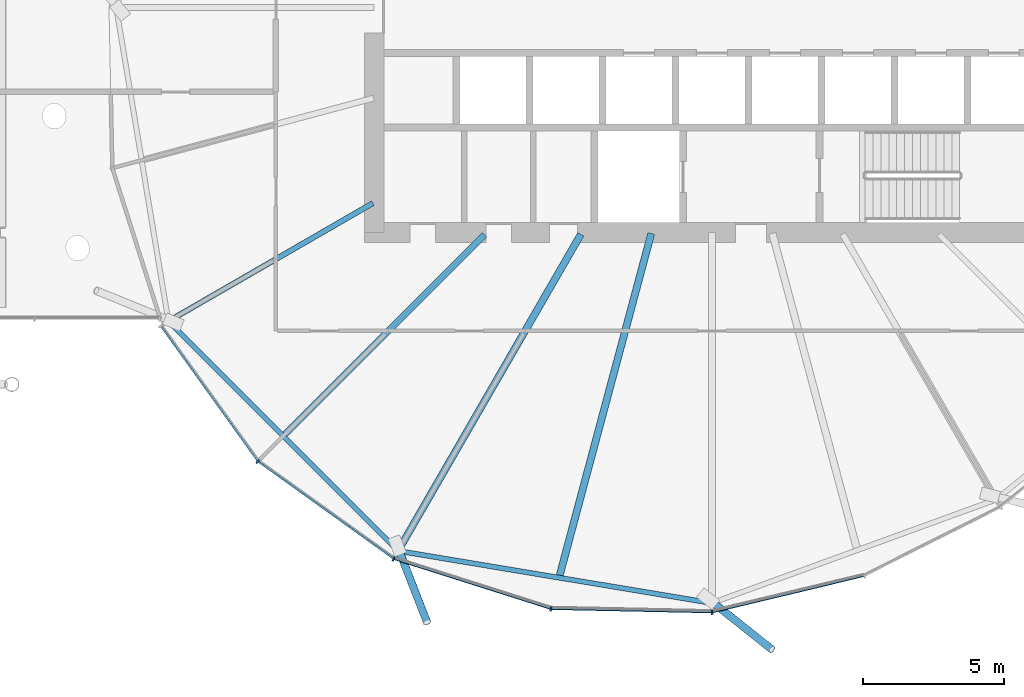
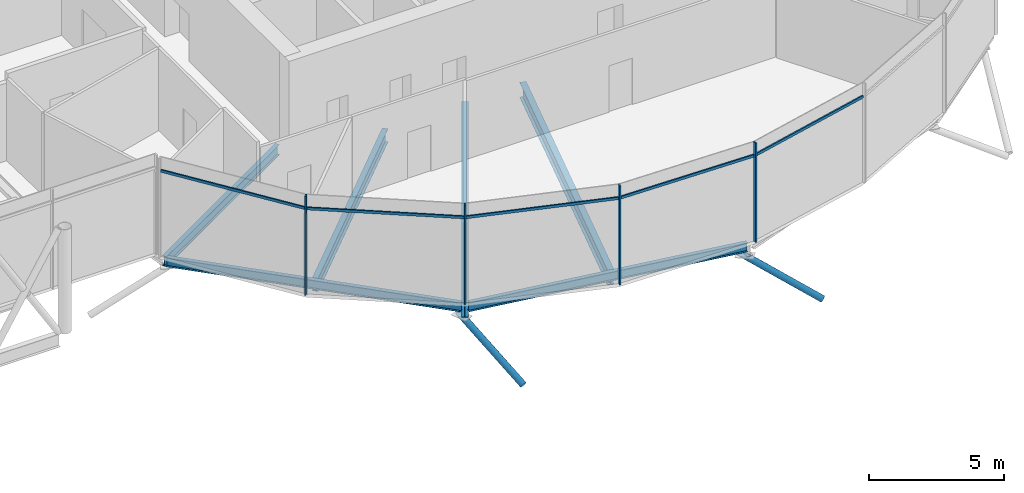
# One storey, part 11 of 36: 11 members, 6 beams, 1 element without a shape of its own.
"""IFC4 building model written with IfcOpenShell, lengths in metres."""

from ifc_helpers import new_model, si_unit, direction, frame, origin, origin_2d, place, context, subcontext, project, spatial, rectangle, hollow_circle, i_section, extrude, clip, halfspace, material, material_profile, profile_set, type_object, element, aggregate, save


model = new_model("IFC4")

# Units and contexts
model_context = context("Model", 3, precision=1e-05, world=origin(), true_north=direction((0.0, 1.0)))
body_context = subcontext(model_context, "Body", "Model", "MODEL_VIEW")
ifc_project = project(units=[si_unit("LENGTHUNIT", "METRE"), si_unit("AREAUNIT", "SQUARE_METRE"), si_unit("VOLUMEUNIT", "CUBIC_METRE"), si_unit("PLANEANGLEUNIT", "RADIAN"), si_unit("MASSUNIT", "GRAM", prefix="KILO")], contexts=[model_context])

# Site, building, storey
site_placement = place(None, origin())
site = spatial("IfcSite", under=ifc_project, at=site_placement, CompositionType="ELEMENT")
building_placement = place(site_placement, origin())
building = spatial("IfcBuilding", under=site, at=building_placement, Name="Rimbun Link Towers", CompositionType="ELEMENT")
storey_placement = place(building_placement, frame((0.0, 0.0, 154.39990234375)))
storey = spatial("IfcBuildingStorey", under=building, at=storey_placement, Name="L37", CompositionType="ELEMENT", Elevation=154.39990234375)

# Curtain wall, members
ifc_material_1 = material(Name="Aluminium 6063-T6 and low-iron glass", Category="aluminium")
curtain_wall_type = type_object("IfcCurtainWallType", Name="CW5 full height lobby wall", PredefinedType="NOTDEFINED", material=ifc_material_1)
curtain_wall_placement = place(storey_placement, origin())
curtain_wall = element("IfcCurtainWall", 1, at=curtain_wall_placement, inside=storey, type_object=curtain_wall_type, Name="CW5 L37 T2", PredefinedType="NOTDEFINED")
ifc_material_2 = material(Name="Aluminium 6063-T6", Category="aluminium")
ifc_material_profile_1 = material_profile(ifc_material_2, rectangle(XDim=0.14990234375, YDim=0.06005859375, at=origin_2d()), Name="MULLION 60X150")
ifc_profile_set_1 = profile_set([ifc_material_profile_1], Name="Aluminium 6063-T6")
member_type_1 = type_object("IfcMemberType", Name="CW5 mullion 60X150", PredefinedType="MULLION", material=ifc_profile_set_1)
member_1_placement = place(storey_placement, frame((15.60791015625, -16.14208984375, 0.0), z_axis=(0.0, 0.0, 1.0), x_axis=(-0.707106781187, -0.707106781187, 0.0)))
member_1 = element("IfcMember", 2, at=member_1_placement, type_object=member_type_1, Name="CW5 mullion", PredefinedType="MULLION", context=body_context, shape_type="SweptSolid", body=[
    extrude(rectangle(XDim=0.14990234375, YDim=0.06005859375, at=origin_2d()), origin(), (0.0, 0.0, 1.0), 4.5),
])
member_2_placement = place(storey_placement, frame((20.435302734375, -19.6064453125, 0.0), z_axis=(0.0, 0.0, 1.0), x_axis=(-0.448570078695, -0.893747662654, 0.0)))
member_2 = element("IfcMember", 3, at=member_2_placement, type_object=member_type_1, Name="CW5 mullion", PredefinedType="MULLION", context=body_context, shape_type="SweptSolid", body=[
    extrude(rectangle(XDim=0.14990234375, YDim=0.06005859375, at=origin_2d()), origin(), (0.0, 0.0, 1.0), 4.5),
])
member_3_placement = place(storey_placement, frame((26.027587890625, -21.385009765625, 0.0), z_axis=(0.0, 0.0, 1.0), x_axis=(-0.163742365799, -0.986503136154, 0.0)))
member_3 = element("IfcMember", 4, at=member_3_placement, type_object=member_type_1, Name="CW5 mullion", PredefinedType="MULLION", context=body_context, shape_type="SweptSolid", body=[
    extrude(rectangle(XDim=0.14990234375, YDim=0.06005859375, at=origin_2d()), origin(), (0.0, 0.0, 1.0), 4.5),
])
member_4_placement = place(storey_placement, frame((31.758056640625, -21.505859375, 0.0), z_axis=(0.0, 0.0, 1.0), x_axis=(0.106633389337, -0.994298406052, 0.0)))
member_4 = element("IfcMember", 5, at=member_4_placement, type_object=member_type_1, Name="CW5 mullion", PredefinedType="MULLION", context=body_context, shape_type="SweptSolid", body=[
    extrude(rectangle(XDim=0.14990234375, YDim=0.06005859375, at=origin_2d()), origin(), (0.0, 0.0, 1.0), 4.5),
])
ifc_material_3 = material(Name="Aluminium 6063-T6", Category="aluminium")
ifc_material_profile_2 = material_profile(ifc_material_3, rectangle(XDim=0.06005859375, YDim=0.1201171875, at=origin_2d()), Name="TRANSOM 60X120")
ifc_profile_set_2 = profile_set([ifc_material_profile_2], Name="Aluminium 6063-T6")
member_type_2 = type_object("IfcMemberType", Name="CW5 transom 60X120", PredefinedType="USERDEFINED", material=ifc_profile_set_2)
member_5_placement = place(storey_placement, frame((15.593017578125, -16.100830078125, 3.900146484375), z_axis=(-0.583022719321, 0.812455850342, 0.0), x_axis=(-0.812455850342, -0.583022719321, 0.0)))
member_5 = element("IfcMember", 6, at=member_5_placement, type_object=member_type_2, Name="CW5 transom", ObjectType="TRANSOM", PredefinedType="USERDEFINED", context=body_context, shape_type="SweptSolid", body=[
    extrude(rectangle(XDim=0.06005859375, YDim=0.1201171875, at=origin_2d()), origin(), (0.0, 0.0, 1.0), 5.85791015625),
])
member_6_placement = place(storey_placement, frame((20.408447265625, -19.572265625, 3.900146484375), z_axis=(-0.812455850342, 0.583022719321, 0.0), x_axis=(-0.583022719321, -0.812455850342, 0.0)))
member_6 = element("IfcMember", 7, at=member_6_placement, type_object=member_type_2, Name="CW5 transom", ObjectType="TRANSOM", PredefinedType="USERDEFINED", context=body_context, shape_type="SweptSolid", body=[
    extrude(rectangle(XDim=0.06005859375, YDim=0.1201171875, at=origin_2d()), origin(), (0.0, 0.0, 1.0), 5.85791015625),
])
member_7_placement = place(storey_placement, frame((25.992431640625, -21.36083984375, 3.900146484375), z_axis=(-0.952972319838, 0.303057350384, 0.0), x_axis=(-0.303057350384, -0.952972319838, 0.0)))
member_7 = element("IfcMember", 8, at=member_7_placement, type_object=member_type_2, Name="CW5 transom", ObjectType="TRANSOM", PredefinedType="USERDEFINED", context=body_context, shape_type="SweptSolid", body=[
    extrude(rectangle(XDim=0.06005859375, YDim=0.1201171875, at=origin_2d()), origin(), (0.0, 0.0, 1.0), 5.78564453125),
])
member_8_placement = place(storey_placement, frame((31.71875, -21.49267578125, 3.900146484375), z_axis=(-0.999777758305, 0.021081603338, 0.0), x_axis=(-0.021081603338, -0.999777758305, 0.0)))
member_8 = element("IfcMember", 9, at=member_8_placement, type_object=member_type_2, Name="CW5 transom", ObjectType="TRANSOM", PredefinedType="USERDEFINED", context=body_context, shape_type="SweptSolid", body=[
    extrude(rectangle(XDim=0.06005859375, YDim=0.1201171875, at=origin_2d()), origin(), (0.0, 0.0, 1.0), 5.6513671875),
])
member_9_placement = place(storey_placement, frame((37.1318359375, -20.207763671875, 3.900146484375), z_axis=(-0.972564672801, -0.232632665847, 0.0), x_axis=(0.232632665847, -0.972564672801, 0.0)))
member_9 = element("IfcMember", 10, at=member_9_placement, type_object=member_type_2, Name="CW5 transom", ObjectType="TRANSOM", PredefinedType="USERDEFINED", context=body_context, shape_type="SweptSolid", body=[
    extrude(rectangle(XDim=0.06005859375, YDim=0.1201171875, at=origin_2d()), origin(), (0.0, 0.0, 1.0), 5.48876953125),
])
aggregate(curtain_wall, [member_1, member_2, member_3, member_4, member_5, member_6, member_7, member_8, member_9])

# Members
ifc_material_4 = material(Name="Steel S355J2H", Category="steel")
ifc_material_profile_3 = material_profile(ifc_material_4, hollow_circle(Radius=0.136474609375, WallThickness=0.012451171875, at=origin_2d()), Name="CHS 273x12.5")
ifc_profile_set_3 = profile_set([ifc_material_profile_3], Name="Steel S355J2H")
member_type_3 = type_object("IfcMemberType", Name="Floor edge link CHS 273x12.5", PredefinedType="BRACE", material=ifc_profile_set_3)
member_10_placement = place(storey_placement, frame((20.621826171875, -19.2744140625, -0.97900390625), z_axis=(0.306644876645, -0.788271674917, -0.53347604084), x_axis=(0.931966812891, 0.362543596922, 0.0)))
element("IfcMember", 11, at=member_10_placement, inside=storey, type_object=member_type_3, Name="Floor edge link T2 L37 13", PredefinedType="BRACE", context=body_context, shape_type="Clipping", body=[
    clip(extrude(hollow_circle(Radius=0.136474609375, WallThickness=0.012451171875, at=origin_2d()), frame((0.0, 0.0, -0.451416015625)), (0.0, 0.0, 1.0), 3.742919921875), halfspace(frame((0.0, 0.0, -0.212890625), z_axis=(0.0, 0.845815177122, -0.53347604084)), False)),
])
member_11_placement = place(storey_placement, frame((31.75, -21.124267578125, -0.98193359375), z_axis=(0.679408888326, -0.540187656346, -0.496589225009), x_axis=(0.622346276515, 0.782742046979, 0.0)))
element("IfcMember", 12, at=member_11_placement, inside=storey, type_object=member_type_3, Name="Floor edge link T2 L37 15", PredefinedType="BRACE", context=body_context, shape_type="Clipping", body=[
    clip(extrude(hollow_circle(Radius=0.136474609375, WallThickness=0.012451171875, at=origin_2d()), frame((0.0, 0.0, -0.497314453125)), (0.0, 0.0, 1.0), 3.655517578125), halfspace(frame((0.0, 0.0, -0.234619140625), z_axis=(0.0, 0.86798568053, -0.496589225009)), False)),
])

# Beams
ifc_material_5 = material(Name="Steel S355J2", Category="steel")
ifc_material_profile_4 = material_profile(ifc_material_5, i_section(OverallWidth=0.177978515625, OverallDepth=0.406494140625, WebThickness=0.0078125, FlangeThickness=0.0126953125, at=origin_2d()), Name="UB 406x178x60")
ifc_profile_set_4 = profile_set([ifc_material_profile_4], Name="Steel S355J2")
beam_type_1 = type_object("IfcBeamType", Name="UB 406x178x60", PredefinedType="BEAM", material=ifc_profile_set_4)
beam_1_placement = place(storey_placement, frame((12.502685546875, -11.223388671875, -0.383056640625), z_axis=(0.707106781187, -0.707106781187, 0.0), x_axis=(0.707106781187, 0.707106781187, 0.0)))
element("IfcBeam", 13, at=beam_1_placement, inside=storey, type_object=beam_type_1, Name="Edge beam T2 L37 11-13", PredefinedType="BEAM", context=body_context, shape_type="SweptSolid", body=[
    extrude(i_section(OverallWidth=0.177978515625, OverallDepth=0.406494140625, WebThickness=0.0078125, FlangeThickness=0.0126953125, at=origin_2d()), origin(), (0.0, 0.0, 1.0), 11.314697265625),
])
beam_2_placement = place(storey_placement, frame((20.731689453125, -19.340087890625, -0.383056640625), z_axis=(0.986428565944, -0.16419099942, 0.0), x_axis=(0.16419099942, 0.986428565944, 0.0)))
element("IfcBeam", 14, at=beam_2_placement, inside=storey, type_object=beam_type_1, Name="Edge beam T2 L37 13-15", PredefinedType="BEAM", context=body_context, shape_type="SweptSolid", body=[
    extrude(i_section(OverallWidth=0.177978515625, OverallDepth=0.406494140625, WebThickness=0.0078125, FlangeThickness=0.0126953125, at=origin_2d()), origin(), (0.0, 0.0, 1.0), 11.04052734375),
])
ifc_material_6 = material(Name="Steel S355J2", Category="steel")
ifc_material_profile_5 = material_profile(ifc_material_6, i_section(OverallWidth=0.18994140625, OverallDepth=0.453369140625, WebThickness=0.008544921875, FlangeThickness=0.0126953125, at=origin_2d()), Name="UB 457x191x67")
ifc_profile_set_5 = profile_set([ifc_material_profile_5], Name="Steel S355J2")
beam_type_2 = type_object("IfcBeamType", Name="UB 457x191x67", PredefinedType="BEAM", material=ifc_profile_set_5)
beam_3_placement = place(storey_placement, frame((19.70166015625, -6.9560546875, -0.406494140625), z_axis=(-0.866020419704, -0.500008632582, 0.0), x_axis=(0.500008632582, -0.866020419704, 0.0)))
element("IfcBeam", 15, at=beam_3_placement, inside=storey, type_object=beam_type_2, Name="Radial beam T2 L37 11", PredefinedType="BEAM", context=body_context, shape_type="SweptSolid", body=[
    extrude(i_section(OverallWidth=0.18994140625, OverallDepth=0.453369140625, WebThickness=0.008544921875, FlangeThickness=0.0126953125, at=origin_2d()), origin(), (0.0, 0.0, 1.0), 8.393798828125),
])
ifc_material_7 = material(Name="Steel S355J2", Category="steel")
ifc_material_profile_6 = material_profile(ifc_material_7, i_section(OverallWidth=0.2275390625, OverallDepth=0.6025390625, WebThickness=0.010498046875, FlangeThickness=0.014892578125, at=origin_2d()), Name="UB 610x229x101")
ifc_profile_set_6 = profile_set([ifc_material_profile_6], Name="Steel S355J2")
beam_type_3 = type_object("IfcBeamType", Name="UB 610x229x101", PredefinedType="BEAM", material=ifc_profile_set_6)
beam_4_placement = place(storey_placement, frame((23.668701171875, -8.081298828125, -0.481201171875), z_axis=(-0.707106781187, -0.707106781187, 0.0), x_axis=(0.707106781187, -0.707106781187, 0.0)))
element("IfcBeam", 16, at=beam_4_placement, inside=storey, type_object=beam_type_3, Name="Radial beam T2 L37 12", PredefinedType="BEAM", context=body_context, shape_type="SweptSolid", body=[
    extrude(i_section(OverallWidth=0.2275390625, OverallDepth=0.6025390625, WebThickness=0.010498046875, FlangeThickness=0.014892578125, at=origin_2d()), origin(), (0.0, 0.0, 1.0), 10.02734375),
])
ifc_material_8 = material(Name="Steel S355J2", Category="steel")
ifc_material_profile_7 = material_profile(ifc_material_8, i_section(OverallWidth=0.253662109375, OverallDepth=0.68359375, WebThickness=0.012451171875, FlangeThickness=0.01904296875, at=origin_2d()), Name="UB 686x254x140")
ifc_profile_set_7 = profile_set([ifc_material_profile_7], Name="Steel S355J2")
beam_type_4 = type_object("IfcBeamType", Name="UB 686x254x140", PredefinedType="BEAM", material=ifc_profile_set_7)
beam_5_placement = place(storey_placement, frame((27.093994140625, -8.064208984375, -0.521484375), z_axis=(-0.499994598707, -0.8660285222, 0.0), x_axis=(0.8660285222, -0.499994598707, 0.0)))
element("IfcBeam", 17, at=beam_5_placement, inside=storey, type_object=beam_type_4, Name="Radial beam T2 L37 13", PredefinedType="BEAM", context=body_context, shape_type="SweptSolid", body=[
    extrude(i_section(OverallWidth=0.253662109375, OverallDepth=0.68359375, WebThickness=0.012451171875, FlangeThickness=0.01904296875, at=origin_2d()), origin(), (0.0, 0.0, 1.0), 12.994384765625),
])
beam_6_placement = place(storey_placement, frame((29.597412109375, -8.03369140625, -0.521484375), z_axis=(-0.258819848058, -0.965925611137, 0.0), x_axis=(0.965925611137, -0.258819848058, 0.0)))
element("IfcBeam", 18, at=beam_6_placement, inside=storey, type_object=beam_type_4, Name="Radial beam T2 L37 14", PredefinedType="BEAM", context=body_context, shape_type="SweptSolid", body=[
    extrude(i_section(OverallWidth=0.253662109375, OverallDepth=0.68359375, WebThickness=0.012451171875, FlangeThickness=0.01904296875, at=origin_2d()), origin(), (0.0, 0.0, 1.0), 12.57763671875),
])

save(model, "model.ifc")
